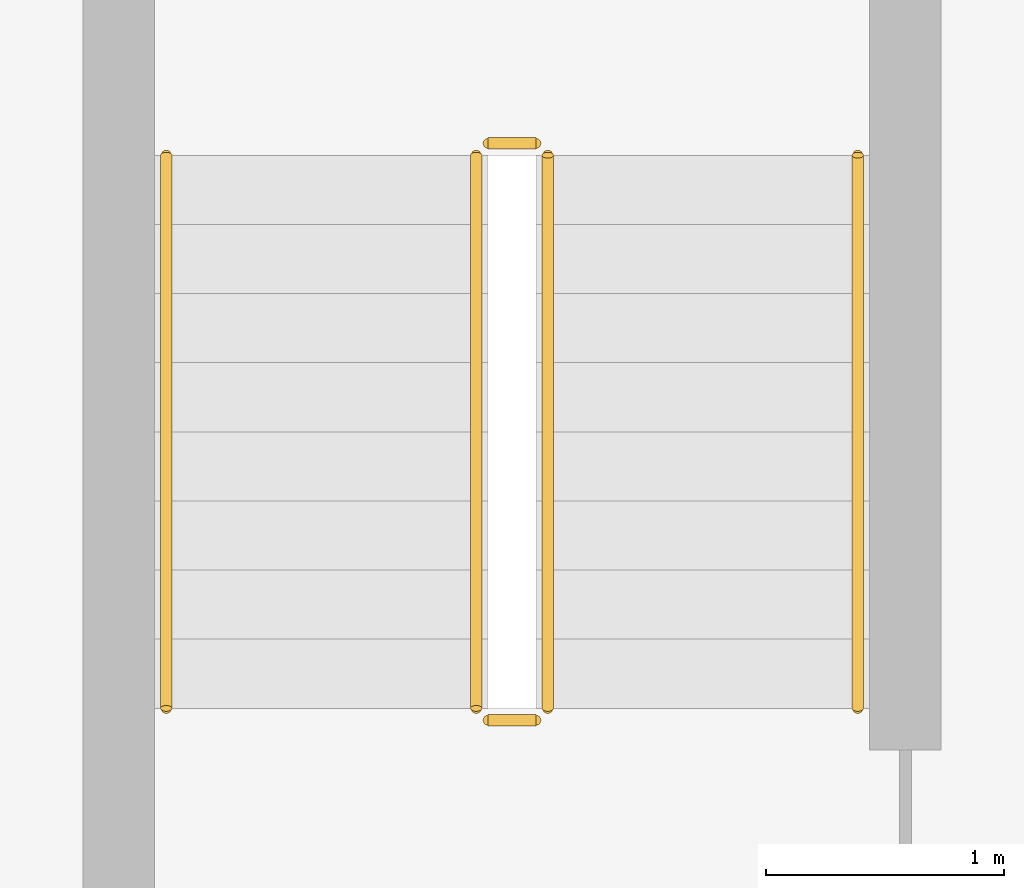
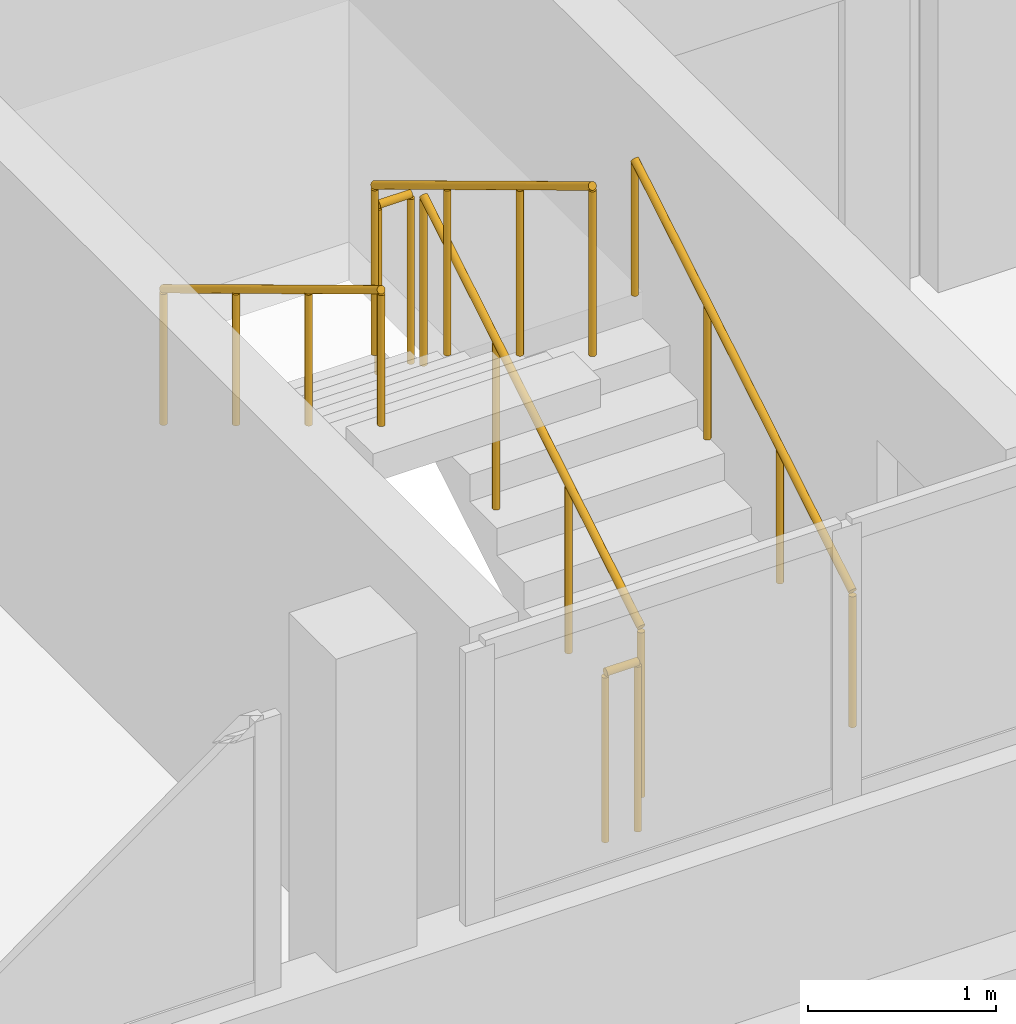
# One storey, part 20 of 28: 6 railings.
"""IFC4 building model written with IfcOpenShell, lengths in metres."""

from ifc_helpers import new_model, si_unit, derived_unit, direction, frame, origin, origin_2d, place, context, subcontext, project, spatial, circle, extrude, material, type_object, element, save


model = new_model("IFC4")

# Units and contexts
model_context = context("Model", 3, precision=1e-05, world=origin(), true_north=direction((0.0, 1.0)))
body_context = subcontext(model_context, "Body", "Model", "MODEL_VIEW")
ifc_project = project(units=[si_unit("LENGTHUNIT", "METRE"), si_unit("AREAUNIT", "SQUARE_METRE"), si_unit("VOLUMEUNIT", "CUBIC_METRE"), si_unit("PLANEANGLEUNIT", "RADIAN"), si_unit("MASSUNIT", "GRAM", prefix="KILO"), derived_unit("THERMALTRANSMITTANCEUNIT", [(si_unit("MASSUNIT", "GRAM", prefix="KILO"), 1), (si_unit("TIMEUNIT", "SECOND"), -3), (si_unit("THERMODYNAMICTEMPERATUREUNIT", "KELVIN"), -1)])], contexts=[model_context])

# Site, building, storey
site_placement = place(None, origin())
site = spatial("IfcSite", under=ifc_project, at=site_placement, CompositionType="ELEMENT")
building_placement = place(site_placement, origin())
building = spatial("IfcBuilding", under=site, at=building_placement, Name="Ochrekiln Boulevard Commons", CompositionType="ELEMENT")
storey_placement = place(building_placement, frame((0.0, 0.0, 34.125)))
storey = spatial("IfcBuildingStorey", under=building, at=storey_placement, Name="L10", CompositionType="ELEMENT", Elevation=34.125)

# Railings
ifc_material = material(Name="Brushed stainless steel 316 tubular railing", Category="steel")
railing_type_1 = type_object("IfcRailingType", Name="RLG-HDR-900", PredefinedType="HANDRAIL", material=ifc_material)
railing_1_placement = place(storey_placement, frame((9.35009765625, 70.27001953125, 0.175048828125)))
element("IfcRailing", 1, at=railing_1_placement, inside=storey, type_object=railing_type_1, Name="L10 ST-A1 stair handrail 1", PredefinedType="HANDRAIL", context=body_context, shape_type="SweptSolid", body=[
    extrude(circle(Radius=0.02392578125, at=origin_2d()), frame((0.0, 0.0, 0.8759765625), z_axis=(0.0, 0.85621033714, 0.516627388526), x_axis=(-1.0, 0.0, 0.0)), (0.0, 0.0, 1.0), 2.709716796875),
    extrude(circle(Radius=0.02099609375, at=origin_2d()), origin(), (0.0, 0.0, 1.0), 0.851806640625),
    extrude(circle(Radius=0.02099609375, at=origin_2d()), frame((0.0, 0.7734375, 0.466552734375)), (0.0, 0.0, 1.0), 0.851806640625),
    extrude(circle(Radius=0.02099609375, at=origin_2d()), frame((0.0, 1.546630859375, 0.933349609375)), (0.0, 0.0, 1.0), 0.851806640625),
    extrude(circle(Radius=0.02099609375, at=origin_2d()), frame((0.0, 2.320068359375, 1.39990234375)), (0.0, 0.0, 1.0), 0.851806640625),
])
railing_2_placement = place(storey_placement, frame((6.449951171875, 72.590087890625, 1.75)))
element("IfcRailing", 2, at=railing_2_placement, inside=storey, type_object=railing_type_1, Name="L10 ST-A1 stair handrail 2", PredefinedType="HANDRAIL", context=body_context, shape_type="SweptSolid", body=[
    extrude(circle(Radius=0.02392578125, at=origin_2d()), frame((0.0, 0.0, 0.8759765625), z_axis=(0.0, -0.85621033714, 0.516627388526), x_axis=(1.0, 0.0, 0.0)), (0.0, 0.0, 1.0), 2.709716796875),
    extrude(circle(Radius=0.02099609375, at=origin_2d()), origin(), (0.0, 0.0, 1.0), 0.851806640625),
    extrude(circle(Radius=0.02099609375, at=origin_2d()), frame((0.0, -0.7734375, 0.466552734375)), (0.0, 0.0, 1.0), 0.851806640625),
    extrude(circle(Radius=0.02099609375, at=origin_2d()), frame((0.0, -1.546630859375, 0.933349609375)), (0.0, 0.0, 1.0), 0.851806640625),
    extrude(circle(Radius=0.02099609375, at=origin_2d()), frame((0.0, -2.320068359375, 1.39990234375)), (0.0, 0.0, 1.0), 0.851806640625),
])
railing_type_2 = type_object("IfcRailingType", Name="RLG-STR-1120", PredefinedType="BALUSTRADE", material=ifc_material)
railing_3_placement = place(storey_placement, frame((8.050048828125, 70.27001953125, 0.175048828125)))
element("IfcRailing", 3, at=railing_3_placement, inside=storey, type_object=railing_type_2, Name="L10 ST-A1 stair guard 1", PredefinedType="BALUSTRADE", context=body_context, shape_type="SweptSolid", body=[
    extrude(circle(Radius=0.02392578125, at=origin_2d()), frame((0.0, 0.0, 1.09619140625), z_axis=(0.0, 0.85621033714, 0.516627388526), x_axis=(-1.0, 0.0, 0.0)), (0.0, 0.0, 1.0), 2.709716796875),
    extrude(circle(Radius=0.02099609375, at=origin_2d()), origin(), (0.0, 0.0, 1.0), 1.072021484375),
    extrude(circle(Radius=0.02099609375, at=origin_2d()), frame((0.0, 0.7734375, 0.466552734375)), (0.0, 0.0, 1.0), 1.072021484375),
    extrude(circle(Radius=0.02099609375, at=origin_2d()), frame((0.0, 1.546630859375, 0.933349609375)), (0.0, 0.0, 1.0), 1.072021484375),
    extrude(circle(Radius=0.02099609375, at=origin_2d()), frame((0.0, 2.320068359375, 1.39990234375)), (0.0, 0.0, 1.0), 1.072021484375),
])
railing_4_placement = place(storey_placement, frame((8.0, 72.639892578125, 1.574951171875)))
element("IfcRailing", 4, at=railing_4_placement, inside=storey, type_object=railing_type_2, Name="L10 ST-A1 stair guard 2", PredefinedType="BALUSTRADE", context=body_context, shape_type="SweptSolid", body=[
    extrude(circle(Radius=0.02392578125, at=origin_2d()), frame((0.0, 0.0, 1.09619140625), z_axis=(-1.0, 0.0, 0.0), x_axis=(0.0, -1.0, 0.0)), (0.0, 0.0, 1.0), 0.199951171875),
    extrude(circle(Radius=0.02099609375, at=origin_2d()), origin(), (0.0, 0.0, 1.0), 1.072021484375),
    extrude(circle(Radius=0.02099609375, at=origin_2d()), frame((-0.199951171875, 0.0, 0.0)), (0.0, 0.0, 1.0), 1.072021484375),
])
railing_5_placement = place(storey_placement, frame((7.75, 72.590087890625, 1.75)))
element("IfcRailing", 5, at=railing_5_placement, inside=storey, type_object=railing_type_2, Name="L10 ST-A1 stair guard 3", PredefinedType="BALUSTRADE", context=body_context, shape_type="SweptSolid", body=[
    extrude(circle(Radius=0.02392578125, at=origin_2d()), frame((0.0, 0.0, 1.09619140625), z_axis=(0.0, -0.85621033714, 0.516627388526), x_axis=(1.0, 0.0, 0.0)), (0.0, 0.0, 1.0), 2.709716796875),
    extrude(circle(Radius=0.02099609375, at=origin_2d()), origin(), (0.0, 0.0, 1.0), 1.072021484375),
    extrude(circle(Radius=0.02099609375, at=origin_2d()), frame((0.0, -0.7734375, 0.466552734375)), (0.0, 0.0, 1.0), 1.072021484375),
    extrude(circle(Radius=0.02099609375, at=origin_2d()), frame((0.0, -1.546630859375, 0.933349609375)), (0.0, 0.0, 1.0), 1.072021484375),
    extrude(circle(Radius=0.02099609375, at=origin_2d()), frame((0.0, -2.320068359375, 1.39990234375)), (0.0, 0.0, 1.0), 1.072021484375),
])
railing_6_placement = place(storey_placement, frame((8.0, 70.219970703125, 0.0)))
element("IfcRailing", 6, at=railing_6_placement, inside=storey, type_object=railing_type_2, Name="L10 ST-A1 stair guard 4", PredefinedType="BALUSTRADE", context=body_context, shape_type="SweptSolid", body=[
    extrude(circle(Radius=0.02392578125, at=origin_2d()), frame((0.0, 0.0, 1.09619140625), z_axis=(-1.0, 0.0, 0.0), x_axis=(0.0, -1.0, 0.0)), (0.0, 0.0, 1.0), 0.199951171875),
    extrude(circle(Radius=0.02099609375, at=origin_2d()), origin(), (0.0, 0.0, 1.0), 1.072021484375),
    extrude(circle(Radius=0.02099609375, at=origin_2d()), frame((-0.199951171875, 0.0, 0.0)), (0.0, 0.0, 1.0), 1.072021484375),
])

save(model, "model.ifc")
